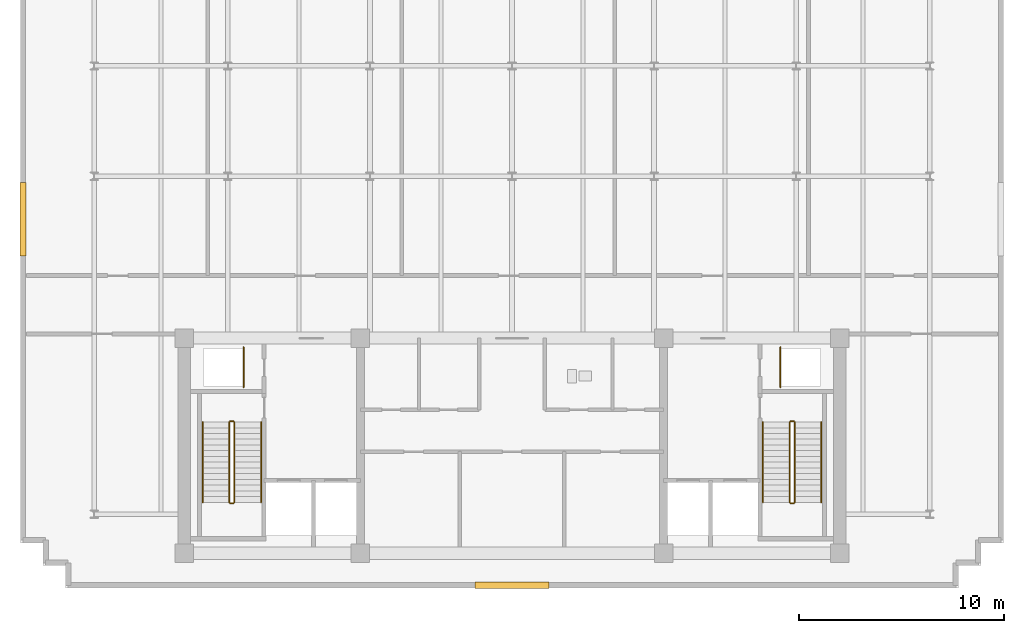
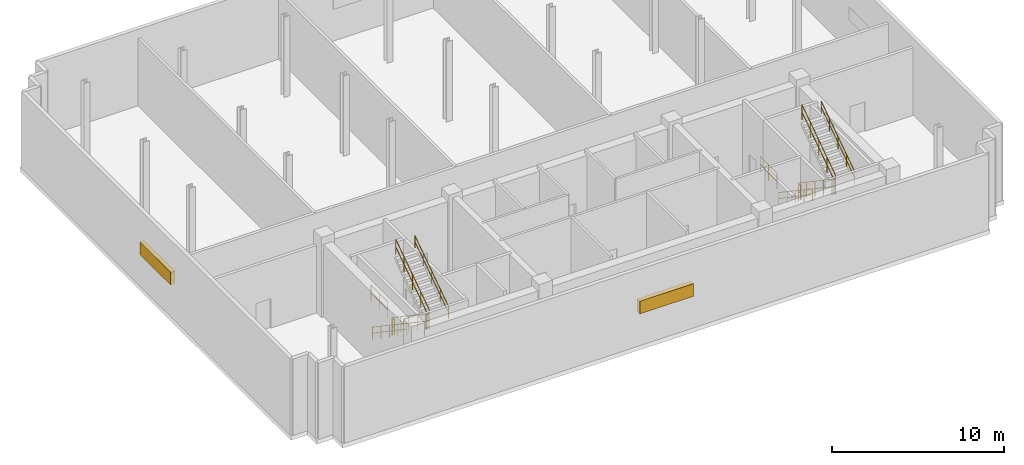
# One storey, part 5 of 7: 14 railings, 2 shading devices.
"""IFC4 building model written with IfcOpenShell, lengths in metres."""

from ifc_helpers import new_model, si_unit, direction, frame, origin, origin_2d, place, context, subcontext, project, spatial, rectangle, circle, extrude, material, layer, layer_set, type_object, element, save


model = new_model("IFC4")

# Units and contexts
model_context = context("Model", 3, precision=1e-05, world=origin(), true_north=direction((0.0, 1.0)))
body_context = subcontext(model_context, "Body", "Model", "MODEL_VIEW")
ifc_project = project(units=[si_unit("LENGTHUNIT", "METRE"), si_unit("AREAUNIT", "SQUARE_METRE"), si_unit("VOLUMEUNIT", "CUBIC_METRE"), si_unit("PLANEANGLEUNIT", "RADIAN"), si_unit("MASSUNIT", "GRAM", prefix="KILO")], contexts=[model_context])

# Site, building, storey
site_placement = place(None, origin())
site = spatial("IfcSite", under=ifc_project, at=site_placement, CompositionType="ELEMENT")
building_placement = place(site_placement, origin())
building = spatial("IfcBuilding", under=site, at=building_placement, Name="Solmavex Isthmus Hotel", CompositionType="ELEMENT")
storey_placement = place(building_placement, frame((0.0, 0.0, 302.699951171875)))
storey = spatial("IfcBuildingStorey", under=building, at=storey_placement, Name="L81", CompositionType="ELEMENT", Elevation=302.699951171875)

# Railings
ifc_material_1 = material(Name="Clear low-E laminated glass", Category="glass")
ifc_layer_1 = layer(ifc_material_1, 0.080078125)
ifc_layer_set_1 = layer_set([ifc_layer_1], Name="Clear low-E laminated glass")
railing_type_1 = type_object("IfcRailingType", Name="RAIL-ATRIUM-1120", PredefinedType="BALUSTRADE", material=ifc_layer_set_1)
for number, where, name in (
    (1, (-13.10009765625, -4.89990234375, 0.0), "Guardrail Balustrade L81-RSW-01"),
    (2, (13.10009765625, -4.89990234375, 0.0), "Guardrail Balustrade L81-RSE-01"),
):
    element("IfcRailing", number, at=place(storey_placement, frame(where)), inside=storey, type_object=railing_type_1, Name=name, PredefinedType="BALUSTRADE", context=body_context, shape_type="SweptSolid", body=[
        extrude(circle(Radius=0.02392578125, at=origin_2d()), frame((0.0, 0.0, 1.1259765625), z_axis=(0.0, 1.0, 0.0), x_axis=(-1.0, 0.0, 0.0)), (0.0, 0.0, 1.0), 1.949951171875),
        extrude(circle(Radius=0.02392578125, at=origin_2d()), frame((0.0, 0.0, 0.574951171875), z_axis=(0.0, 1.0, 0.0), x_axis=(-1.0, 0.0, 0.0)), (0.0, 0.0, 1.0), 1.949951171875),
        extrude(circle(Radius=0.02099609375, at=origin_2d()), origin(), (0.0, 0.0, 1.0), 1.101806640625),
        extrude(circle(Radius=0.02099609375, at=origin_2d()), frame((0.0, 0.97509765625, 0.0)), (0.0, 0.0, 1.0), 1.101806640625),
        extrude(circle(Radius=0.02099609375, at=origin_2d()), frame((0.0, 1.949951171875, 0.0)), (0.0, 0.0, 1.0), 1.101806640625),
    ])
ifc_material_2 = material(Name="Stainless steel 316", Category="steel")
ifc_layer_2 = layer(ifc_material_2, 0.06005859375)
ifc_layer_set_2 = layer_set([ifc_layer_2], Name="Stainless steel 316")
railing_type_2 = type_object("IfcRailingType", Name="RAIL-STAIR-GD", PredefinedType="GUARDRAIL", material=ifc_layer_set_2)
railing_1_placement = place(storey_placement, frame((-13.800048828125, -6.60009765625, 0.18994140625)))
element("IfcRailing", 3, at=railing_1_placement, inside=storey, type_object=railing_type_2, Name="L81 ST-1 stair guard 1", PredefinedType="GUARDRAIL", context=body_context, shape_type="SweptSolid", body=[
    extrude(circle(Radius=0.02392578125, at=origin_2d()), frame((0.0, 0.0, 1.09619140625), z_axis=(0.0, -0.827455249626, 0.561531664171), x_axis=(1.0, 0.0, 0.0)), (0.0, 0.0, 1.0), 4.7373046875),
    extrude(circle(Radius=0.02392578125, at=origin_2d()), frame((0.0, 0.0, 0.56005859375), z_axis=(0.0, -0.827455249626, 0.561531664171), x_axis=(1.0, 0.0, 0.0)), (0.0, 0.0, 1.0), 4.7373046875),
    extrude(circle(Radius=0.02099609375, at=origin_2d()), origin(), (0.0, 0.0, 1.0), 1.072021484375),
    extrude(circle(Radius=0.02099609375, at=origin_2d()), frame((0.0, -0.97998046875, 0.6650390625)), (0.0, 0.0, 1.0), 1.072021484375),
    extrude(circle(Radius=0.02099609375, at=origin_2d()), frame((0.0, -1.9599609375, 1.330078125)), (0.0, 0.0, 1.0), 1.072021484375),
    extrude(circle(Radius=0.02099609375, at=origin_2d()), frame((0.0, -2.93994140625, 1.9951171875)), (0.0, 0.0, 1.0), 1.072021484375),
    extrude(circle(Radius=0.02099609375, at=origin_2d()), frame((0.0, -3.919921875, 2.66015625)), (0.0, 0.0, 1.0), 1.072021484375),
])
railing_2_placement = place(storey_placement, frame((-13.75, -10.570068359375, 2.85009765625)))
element("IfcRailing", 4, at=railing_2_placement, inside=storey, type_object=railing_type_2, Name="L81 ST-1 stair guard 2", PredefinedType="GUARDRAIL", context=body_context, shape_type="SweptSolid", body=[
    extrude(circle(Radius=0.02392578125, at=origin_2d()), frame((0.0, 0.0, 1.09619140625), z_axis=(1.0, 0.0, 0.0), x_axis=(0.0, 1.0, 0.0)), (0.0, 0.0, 1.0), 0.14990234375),
    extrude(circle(Radius=0.02392578125, at=origin_2d()), frame((0.0, 0.0, 0.56005859375), z_axis=(1.0, 0.0, 0.0), x_axis=(0.0, 1.0, 0.0)), (0.0, 0.0, 1.0), 0.14990234375),
    extrude(circle(Radius=0.02099609375, at=origin_2d()), origin(), (0.0, 0.0, 1.0), 1.072021484375),
    extrude(circle(Radius=0.02099609375, at=origin_2d()), frame((0.14990234375, 0.0, 0.0)), (0.0, 0.0, 1.0), 1.072021484375),
])
railing_3_placement = place(storey_placement, frame((-13.550048828125, -10.52001953125, 3.0400390625)))
element("IfcRailing", 5, at=railing_3_placement, inside=storey, type_object=railing_type_2, Name="L81 ST-1 stair guard 3", PredefinedType="GUARDRAIL", context=body_context, shape_type="SweptSolid", body=[
    extrude(circle(Radius=0.02392578125, at=origin_2d()), frame((0.0, 0.0, 1.09619140625), z_axis=(0.0, 0.827479195178, 0.561496377146), x_axis=(-1.0, 0.0, 0.0)), (0.0, 0.0, 1.0), 4.7373046875),
    extrude(circle(Radius=0.02392578125, at=origin_2d()), frame((0.0, 0.0, 0.56005859375), z_axis=(0.0, 0.827479195178, 0.561496377146), x_axis=(-1.0, 0.0, 0.0)), (0.0, 0.0, 1.0), 4.7373046875),
    extrude(circle(Radius=0.02099609375, at=origin_2d()), origin(), (0.0, 0.0, 1.0), 1.072021484375),
    extrude(circle(Radius=0.02099609375, at=origin_2d()), frame((0.0, 0.97998046875, 0.6650390625)), (0.0, 0.0, 1.0), 1.072021484375),
    extrude(circle(Radius=0.02099609375, at=origin_2d()), frame((0.0, 1.9599609375, 1.330078125)), (0.0, 0.0, 1.0), 1.072021484375),
    extrude(circle(Radius=0.02099609375, at=origin_2d()), frame((0.0, 2.93994140625, 1.994873046875)), (0.0, 0.0, 1.0), 1.072021484375),
    extrude(circle(Radius=0.02099609375, at=origin_2d()), frame((0.0, 3.919921875, 2.659912109375)), (0.0, 0.0, 1.0), 1.072021484375),
])
railing_4_placement = place(storey_placement, frame((-13.75, -6.550048828125, 0.0)))
element("IfcRailing", 6, at=railing_4_placement, inside=storey, type_object=railing_type_2, Name="L81 ST-1 stair guard 4", PredefinedType="GUARDRAIL", context=body_context, shape_type="SweptSolid", body=[
    extrude(circle(Radius=0.02392578125, at=origin_2d()), frame((0.0, 0.0, 1.09619140625), z_axis=(1.0, 0.0, 0.0), x_axis=(0.0, 1.0, 0.0)), (0.0, 0.0, 1.0), 0.14990234375),
    extrude(circle(Radius=0.02392578125, at=origin_2d()), frame((0.0, 0.0, 0.56005859375), z_axis=(1.0, 0.0, 0.0), x_axis=(0.0, 1.0, 0.0)), (0.0, 0.0, 1.0), 0.14990234375),
    extrude(circle(Radius=0.02099609375, at=origin_2d()), origin(), (0.0, 0.0, 1.0), 1.072021484375),
    extrude(circle(Radius=0.02099609375, at=origin_2d()), frame((0.14990234375, 0.0, 0.0)), (0.0, 0.0, 1.0), 1.072021484375),
])
railing_5_placement = place(storey_placement, frame((13.550048828125, -6.60009765625, 0.18994140625)))
element("IfcRailing", 7, at=railing_5_placement, inside=storey, type_object=railing_type_2, Name="L81 ST-2 stair guard 1", PredefinedType="GUARDRAIL", context=body_context, shape_type="SweptSolid", body=[
    extrude(circle(Radius=0.02392578125, at=origin_2d()), frame((0.0, 0.0, 1.09619140625), z_axis=(0.0, -0.827455249626, 0.561531664171), x_axis=(1.0, 0.0, 0.0)), (0.0, 0.0, 1.0), 4.7373046875),
    extrude(circle(Radius=0.02392578125, at=origin_2d()), frame((0.0, 0.0, 0.56005859375), z_axis=(0.0, -0.827455249626, 0.561531664171), x_axis=(1.0, 0.0, 0.0)), (0.0, 0.0, 1.0), 4.7373046875),
    extrude(circle(Radius=0.02099609375, at=origin_2d()), origin(), (0.0, 0.0, 1.0), 1.072021484375),
    extrude(circle(Radius=0.02099609375, at=origin_2d()), frame((0.0, -0.97998046875, 0.6650390625)), (0.0, 0.0, 1.0), 1.072021484375),
    extrude(circle(Radius=0.02099609375, at=origin_2d()), frame((0.0, -1.9599609375, 1.330078125)), (0.0, 0.0, 1.0), 1.072021484375),
    extrude(circle(Radius=0.02099609375, at=origin_2d()), frame((0.0, -2.93994140625, 1.9951171875)), (0.0, 0.0, 1.0), 1.072021484375),
    extrude(circle(Radius=0.02099609375, at=origin_2d()), frame((0.0, -3.919921875, 2.66015625)), (0.0, 0.0, 1.0), 1.072021484375),
])
railing_6_placement = place(storey_placement, frame((13.60009765625, -10.570068359375, 2.85009765625)))
element("IfcRailing", 8, at=railing_6_placement, inside=storey, type_object=railing_type_2, Name="L81 ST-2 stair guard 2", PredefinedType="GUARDRAIL", context=body_context, shape_type="SweptSolid", body=[
    extrude(circle(Radius=0.02392578125, at=origin_2d()), frame((0.0, 0.0, 1.09619140625), z_axis=(1.0, 0.0, 0.0), x_axis=(0.0, 1.0, 0.0)), (0.0, 0.0, 1.0), 0.14990234375),
    extrude(circle(Radius=0.02392578125, at=origin_2d()), frame((0.0, 0.0, 0.56005859375), z_axis=(1.0, 0.0, 0.0), x_axis=(0.0, 1.0, 0.0)), (0.0, 0.0, 1.0), 0.14990234375),
    extrude(circle(Radius=0.02099609375, at=origin_2d()), origin(), (0.0, 0.0, 1.0), 1.072021484375),
    extrude(circle(Radius=0.02099609375, at=origin_2d()), frame((0.14990234375, 0.0, 0.0)), (0.0, 0.0, 1.0), 1.072021484375),
])
railing_7_placement = place(storey_placement, frame((13.800048828125, -10.52001953125, 3.0400390625)))
element("IfcRailing", 9, at=railing_7_placement, inside=storey, type_object=railing_type_2, Name="L81 ST-2 stair guard 3", PredefinedType="GUARDRAIL", context=body_context, shape_type="SweptSolid", body=[
    extrude(circle(Radius=0.02392578125, at=origin_2d()), frame((0.0, 0.0, 1.09619140625), z_axis=(0.0, 0.827479195178, 0.561496377146), x_axis=(-1.0, 0.0, 0.0)), (0.0, 0.0, 1.0), 4.7373046875),
    extrude(circle(Radius=0.02392578125, at=origin_2d()), frame((0.0, 0.0, 0.56005859375), z_axis=(0.0, 0.827479195178, 0.561496377146), x_axis=(-1.0, 0.0, 0.0)), (0.0, 0.0, 1.0), 4.7373046875),
    extrude(circle(Radius=0.02099609375, at=origin_2d()), origin(), (0.0, 0.0, 1.0), 1.072021484375),
    extrude(circle(Radius=0.02099609375, at=origin_2d()), frame((0.0, 0.97998046875, 0.6650390625)), (0.0, 0.0, 1.0), 1.072021484375),
    extrude(circle(Radius=0.02099609375, at=origin_2d()), frame((0.0, 1.9599609375, 1.330078125)), (0.0, 0.0, 1.0), 1.072021484375),
    extrude(circle(Radius=0.02099609375, at=origin_2d()), frame((0.0, 2.93994140625, 1.994873046875)), (0.0, 0.0, 1.0), 1.072021484375),
    extrude(circle(Radius=0.02099609375, at=origin_2d()), frame((0.0, 3.919921875, 2.659912109375)), (0.0, 0.0, 1.0), 1.072021484375),
])
railing_8_placement = place(storey_placement, frame((13.60009765625, -6.550048828125, 0.0)))
element("IfcRailing", 10, at=railing_8_placement, inside=storey, type_object=railing_type_2, Name="L81 ST-2 stair guard 4", PredefinedType="GUARDRAIL", context=body_context, shape_type="SweptSolid", body=[
    extrude(circle(Radius=0.02392578125, at=origin_2d()), frame((0.0, 0.0, 1.09619140625), z_axis=(1.0, 0.0, 0.0), x_axis=(0.0, 1.0, 0.0)), (0.0, 0.0, 1.0), 0.14990234375),
    extrude(circle(Radius=0.02392578125, at=origin_2d()), frame((0.0, 0.0, 0.56005859375), z_axis=(1.0, 0.0, 0.0), x_axis=(0.0, 1.0, 0.0)), (0.0, 0.0, 1.0), 0.14990234375),
    extrude(circle(Radius=0.02099609375, at=origin_2d()), origin(), (0.0, 0.0, 1.0), 1.072021484375),
    extrude(circle(Radius=0.02099609375, at=origin_2d()), frame((0.14990234375, 0.0, 0.0)), (0.0, 0.0, 1.0), 1.072021484375),
])
ifc_layer_3 = layer(ifc_material_2, 0.050048828125)
ifc_layer_set_3 = layer_set([ifc_layer_3], Name="Stainless steel 316")
railing_type_3 = type_object("IfcRailingType", Name="RAIL-STAIR-HR", PredefinedType="HANDRAIL", material=ifc_layer_set_3)
railing_9_placement = place(storey_placement, frame((-15.10009765625, -6.60009765625, 0.18994140625)))
element("IfcRailing", 11, at=railing_9_placement, inside=storey, type_object=railing_type_3, Name="L81 ST-1 stair handrail 1", PredefinedType="HANDRAIL", context=body_context, shape_type="SweptSolid", body=[
    extrude(circle(Radius=0.02392578125, at=origin_2d()), frame((0.0, 0.0, 0.8759765625), z_axis=(0.0, -0.827455249626, 0.561531664171), x_axis=(1.0, 0.0, 0.0)), (0.0, 0.0, 1.0), 4.7373046875),
    extrude(circle(Radius=0.02392578125, at=origin_2d()), frame((0.0, 0.0, 0.449951171875), z_axis=(0.0, -0.827455249626, 0.561531664171), x_axis=(1.0, 0.0, 0.0)), (0.0, 0.0, 1.0), 4.7373046875),
    extrude(circle(Radius=0.02099609375, at=origin_2d()), origin(), (0.0, 0.0, 1.0), 0.851806640625),
    extrude(circle(Radius=0.02099609375, at=origin_2d()), frame((0.0, -0.97998046875, 0.6650390625)), (0.0, 0.0, 1.0), 0.851806640625),
    extrude(circle(Radius=0.02099609375, at=origin_2d()), frame((0.0, -1.9599609375, 1.330078125)), (0.0, 0.0, 1.0), 0.851806640625),
    extrude(circle(Radius=0.02099609375, at=origin_2d()), frame((0.0, -2.93994140625, 1.9951171875)), (0.0, 0.0, 1.0), 0.851806640625),
    extrude(circle(Radius=0.02099609375, at=origin_2d()), frame((0.0, -3.919921875, 2.66015625)), (0.0, 0.0, 1.0), 0.851806640625),
])
railing_10_placement = place(storey_placement, frame((-12.25, -10.52001953125, 3.0400390625)))
element("IfcRailing", 12, at=railing_10_placement, inside=storey, type_object=railing_type_3, Name="L81 ST-1 stair handrail 2", PredefinedType="HANDRAIL", context=body_context, shape_type="SweptSolid", body=[
    extrude(circle(Radius=0.02392578125, at=origin_2d()), frame((0.0, 0.0, 0.8759765625), z_axis=(0.0, 0.827479195178, 0.561496377146), x_axis=(-1.0, 0.0, 0.0)), (0.0, 0.0, 1.0), 4.7373046875),
    extrude(circle(Radius=0.02392578125, at=origin_2d()), frame((0.0, 0.0, 0.449951171875), z_axis=(0.0, 0.827479195178, 0.561496377146), x_axis=(-1.0, 0.0, 0.0)), (0.0, 0.0, 1.0), 4.7373046875),
    extrude(circle(Radius=0.02099609375, at=origin_2d()), origin(), (0.0, 0.0, 1.0), 0.851806640625),
    extrude(circle(Radius=0.02099609375, at=origin_2d()), frame((0.0, 0.97998046875, 0.6650390625)), (0.0, 0.0, 1.0), 0.851806640625),
    extrude(circle(Radius=0.02099609375, at=origin_2d()), frame((0.0, 1.9599609375, 1.330078125)), (0.0, 0.0, 1.0), 0.851806640625),
    extrude(circle(Radius=0.02099609375, at=origin_2d()), frame((0.0, 2.93994140625, 1.994873046875)), (0.0, 0.0, 1.0), 0.851806640625),
    extrude(circle(Radius=0.02099609375, at=origin_2d()), frame((0.0, 3.919921875, 2.659912109375)), (0.0, 0.0, 1.0), 0.851806640625),
])
railing_11_placement = place(storey_placement, frame((12.25, -6.60009765625, 0.18994140625)))
element("IfcRailing", 13, at=railing_11_placement, inside=storey, type_object=railing_type_3, Name="L81 ST-2 stair handrail 1", PredefinedType="HANDRAIL", context=body_context, shape_type="SweptSolid", body=[
    extrude(circle(Radius=0.02392578125, at=origin_2d()), frame((0.0, 0.0, 0.8759765625), z_axis=(0.0, -0.827455249626, 0.561531664171), x_axis=(1.0, 0.0, 0.0)), (0.0, 0.0, 1.0), 4.7373046875),
    extrude(circle(Radius=0.02392578125, at=origin_2d()), frame((0.0, 0.0, 0.449951171875), z_axis=(0.0, -0.827455249626, 0.561531664171), x_axis=(1.0, 0.0, 0.0)), (0.0, 0.0, 1.0), 4.7373046875),
    extrude(circle(Radius=0.02099609375, at=origin_2d()), origin(), (0.0, 0.0, 1.0), 0.851806640625),
    extrude(circle(Radius=0.02099609375, at=origin_2d()), frame((0.0, -0.97998046875, 0.6650390625)), (0.0, 0.0, 1.0), 0.851806640625),
    extrude(circle(Radius=0.02099609375, at=origin_2d()), frame((0.0, -1.9599609375, 1.330078125)), (0.0, 0.0, 1.0), 0.851806640625),
    extrude(circle(Radius=0.02099609375, at=origin_2d()), frame((0.0, -2.93994140625, 1.9951171875)), (0.0, 0.0, 1.0), 0.851806640625),
    extrude(circle(Radius=0.02099609375, at=origin_2d()), frame((0.0, -3.919921875, 2.66015625)), (0.0, 0.0, 1.0), 0.851806640625),
])
railing_12_placement = place(storey_placement, frame((15.10009765625, -10.52001953125, 3.0400390625)))
element("IfcRailing", 14, at=railing_12_placement, inside=storey, type_object=railing_type_3, Name="L81 ST-2 stair handrail 2", PredefinedType="HANDRAIL", context=body_context, shape_type="SweptSolid", body=[
    extrude(circle(Radius=0.02392578125, at=origin_2d()), frame((0.0, 0.0, 0.8759765625), z_axis=(0.0, 0.827479195178, 0.561496377146), x_axis=(-1.0, 0.0, 0.0)), (0.0, 0.0, 1.0), 4.7373046875),
    extrude(circle(Radius=0.02392578125, at=origin_2d()), frame((0.0, 0.0, 0.449951171875), z_axis=(0.0, 0.827479195178, 0.561496377146), x_axis=(-1.0, 0.0, 0.0)), (0.0, 0.0, 1.0), 4.7373046875),
    extrude(circle(Radius=0.02099609375, at=origin_2d()), origin(), (0.0, 0.0, 1.0), 0.851806640625),
    extrude(circle(Radius=0.02099609375, at=origin_2d()), frame((0.0, 0.97998046875, 0.6650390625)), (0.0, 0.0, 1.0), 0.851806640625),
    extrude(circle(Radius=0.02099609375, at=origin_2d()), frame((0.0, 1.9599609375, 1.330078125)), (0.0, 0.0, 1.0), 0.851806640625),
    extrude(circle(Radius=0.02099609375, at=origin_2d()), frame((0.0, 2.93994140625, 1.994873046875)), (0.0, 0.0, 1.0), 0.851806640625),
    extrude(circle(Radius=0.02099609375, at=origin_2d()), frame((0.0, 3.919921875, 2.659912109375)), (0.0, 0.0, 1.0), 0.851806640625),
])

# Shading devices
ifc_material_3 = material(Name="Aluminium alloy 6063-T6", Category="aluminium")
shading_device_type = type_object("IfcShadingDeviceType", Name="SHD-LOUVRE-BOX", PredefinedType="JALOUSIE", material=ifc_material_3)
for number, where, z_axis, x_axis, name in (
    (15, (0.0, -14.570068359375, 2.27001953125), (0.0, 0.0, 1.0), (-1.0, 0.0, 0.0), "Acoustic Intake Louvre Screen L81-01"),
    (16, (-23.8701171875, 3.300048828125, 2.27001953125), (0.0, 0.0, 1.0), (0.0, 1.0, 0.0), "Acoustic Intake Louvre Screen L81-06"),
):
    element("IfcShadingDevice", number, at=place(storey_placement, frame(where, z_axis=z_axis, x_axis=x_axis)), inside=storey, type_object=shading_device_type, Name=name, PredefinedType="JALOUSIE", context=body_context, shape_type="SweptSolid", body=[
        extrude(rectangle(XDim=3.60009765625, YDim=0.300048828125, at=origin_2d()), origin(), (0.0, 0.0, 1.0), 0.89990234375),
    ])

save(model, "model.ifc")
